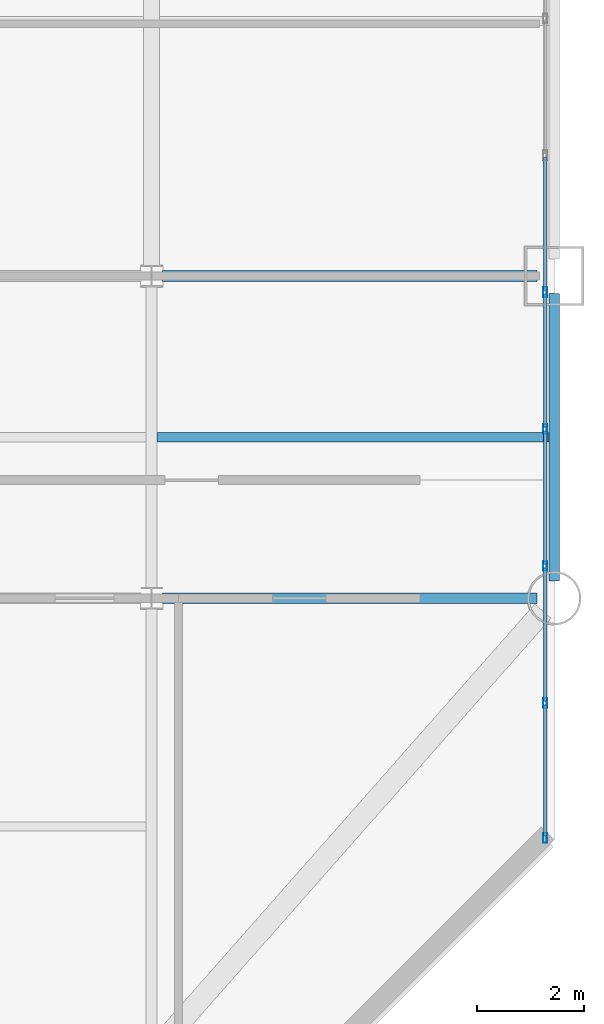
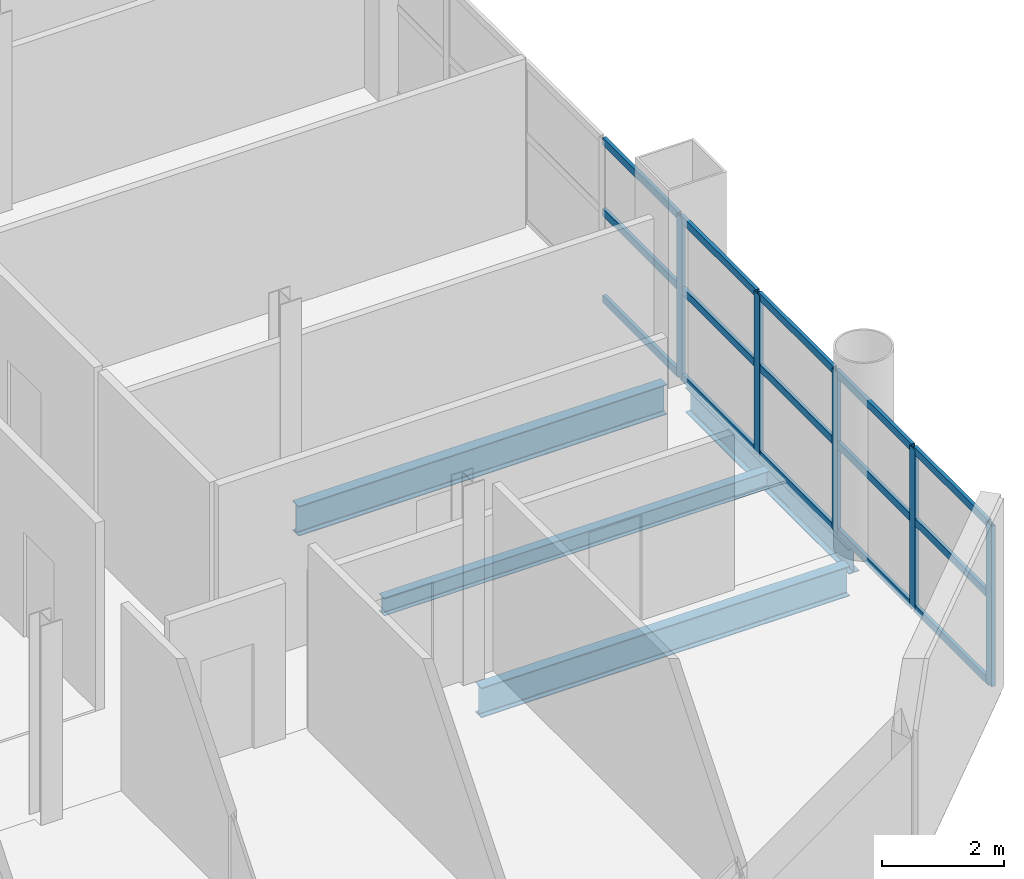
# One storey, part 5 of 16: 20 members, 4 beams, 1 element without a shape of its own.
"""IFC4 building model written with IfcOpenShell, lengths in metres."""

from ifc_helpers import new_model, si_unit, direction, frame, origin, origin_2d, place, context, subcontext, project, spatial, hollow_rectangle, i_section, extrude, material, layer, layer_set, material_profile, profile_set, type_object, element, aggregate, save


model = new_model("IFC4")

# Units and contexts
model_context = context("Model", 3, precision=1e-05, world=origin(), true_north=direction((0.0, 1.0)))
body_context = subcontext(model_context, "Body", "Model", "MODEL_VIEW")
ifc_project = project(units=[si_unit("LENGTHUNIT", "METRE"), si_unit("AREAUNIT", "SQUARE_METRE"), si_unit("VOLUMEUNIT", "CUBIC_METRE"), si_unit("PLANEANGLEUNIT", "RADIAN"), si_unit("MASSUNIT", "GRAM", prefix="KILO")], contexts=[model_context])

# Site, building, storey
site_placement = place(None, origin())
site = spatial("IfcSite", under=ifc_project, at=site_placement, CompositionType="ELEMENT")
building_placement = place(site_placement, origin())
building = spatial("IfcBuilding", under=site, at=building_placement, Name="Qianrong Seaharbour Tower", CompositionType="ELEMENT")
storey_placement = place(building_placement, frame((0.0, 0.0, 119.0)))
storey = spatial("IfcBuildingStorey", under=building, at=storey_placement, Name="L28", CompositionType="ELEMENT", Elevation=119.0)

# Beams
ifc_material_1 = material(Name="Structural steel SN490B", Category="steel")
ifc_material_profile_1 = material_profile(ifc_material_1, i_section(OverallWidth=0.199951171875, OverallDepth=0.60009765625, WebThickness=0.010986328125, FlangeThickness=0.01708984375, FilletRadius=0.02197265625, at=origin_2d()), Name="H600x200x11x17")
ifc_profile_set_1 = profile_set([ifc_material_profile_1], Name="Structural steel SN490B")
beam_type_1 = type_object("IfcBeamType", Name="BM-G-600", PredefinedType="BEAM", material=ifc_profile_set_1)
for number, where, z_axis, x_axis, name in (
    (1, (56.699951171875, 12.5, -0.534912109375), (1.0, 0.0, 0.0), (0.0, 1.0, 0.0), "L28 Primary Girder GC G8-G9"),
    (2, (56.699951171875, 18.5, -0.534912109375), (1.0, 0.0, 0.0), (0.0, 1.0, 0.0), "L28 Primary Girder GD G8-G9"),
):
    element("IfcBeam", number, at=place(storey_placement, frame(where, z_axis=z_axis, x_axis=x_axis)), inside=storey, type_object=beam_type_1, Name=name, PredefinedType="BEAM", context=body_context, shape_type="SweptSolid", body=[
        extrude(i_section(OverallWidth=0.199951171875, OverallDepth=0.60009765625, WebThickness=0.010986328125, FlangeThickness=0.01708984375, FilletRadius=0.02197265625, at=origin_2d()), origin(), (0.0, 0.0, 1.0), 6.97998046875),
    ])
ifc_material_2 = material(Name="Structural steel SN400B", Category="steel")
ifc_material_profile_2 = material_profile(ifc_material_2, i_section(OverallWidth=0.175048828125, OverallDepth=0.35009765625, WebThickness=0.007080078125, FlangeThickness=0.010986328125, FilletRadius=0.013916015625, at=origin_2d()), Name="H350x175x7x11")
ifc_profile_set_2 = profile_set([ifc_material_profile_2], Name="Structural steel SN400B")
beam_type_2 = type_object("IfcBeamType", Name="BM-J-350", PredefinedType="JOIST", material=ifc_profile_set_2)
beam_1_placement = place(storey_placement, frame((56.60009765625, 15.5, -0.409912109375), z_axis=(1.0, 0.0, 0.0), x_axis=(0.0, 1.0, 0.0)))
element("IfcBeam", 3, at=beam_1_placement, inside=storey, type_object=beam_type_2, Name="L28 Composite Floor Joist G8-G9/GC-GD", PredefinedType="JOIST", context=body_context, shape_type="SweptSolid", body=[
    extrude(i_section(OverallWidth=0.175048828125, OverallDepth=0.35009765625, WebThickness=0.007080078125, FlangeThickness=0.010986328125, FilletRadius=0.013916015625, at=origin_2d()), origin(), (0.0, 0.0, 1.0), 7.2998046875),
])
ifc_material_profile_3 = material_profile(ifc_material_1, i_section(OverallWidth=0.199951171875, OverallDepth=0.5, WebThickness=0.010009765625, FlangeThickness=0.01611328125, FilletRadius=0.02001953125, at=origin_2d()), Name="H500x200x10x16")
ifc_profile_set_3 = profile_set([ifc_material_profile_3], Name="Structural steel SN490B")
beam_type_3 = type_object("IfcBeamType", Name="BM-SP-500", PredefinedType="SPANDREL", material=ifc_profile_set_3)
beam_2_placement = place(storey_placement, frame((64.0, 12.820068359375, -0.485107421875), z_axis=(0.0, 1.0, 0.0), x_axis=(-1.0, 0.0, 0.0)))
element("IfcBeam", 4, at=beam_2_placement, inside=storey, type_object=beam_type_3, Name="L28 Spandrel Girder G9 GC-GD", PredefinedType="SPANDREL", context=body_context, shape_type="SweptSolid", body=[
    extrude(i_section(OverallWidth=0.199951171875, OverallDepth=0.5, WebThickness=0.010009765625, FlangeThickness=0.01611328125, FilletRadius=0.02001953125, at=origin_2d()), origin(), (0.0, 0.0, 1.0), 5.35986328125),
])

# Curtain wall, members
ifc_material_3 = material(Name="Anodised aluminium 6063-T6 and laminated low-e glass", Category="aluminium")
ifc_layer = layer(ifc_material_3, 0.195068359375)
ifc_layer_set = layer_set([ifc_layer], Name="Anodised aluminium 6063-T6 and laminated low-e glass")
curtain_wall_type = type_object("IfcCurtainWallType", Name="CW-SYS-3", PredefinedType="NOTDEFINED", material=ifc_layer_set)
curtain_wall_placement = place(storey_placement, origin())
curtain_wall = element("IfcCurtainWall", 5, at=curtain_wall_placement, inside=storey, type_object=curtain_wall_type, Name="L28 Sky-Garden Wintergarden Curtain Wall EAST_WING", PredefinedType="NOTDEFINED")
ifc_material_4 = material(Name="Extruded aluminium 6063-T6", Category="aluminium")
ifc_material_profile_4 = material_profile(ifc_material_4, hollow_rectangle(XDim=0.070068359375, YDim=0.179931640625, WallThickness=0.00390625, at=origin_2d()), Name="ALU-MUL-180x70x4")
ifc_profile_set_4 = profile_set([ifc_material_profile_4], Name="Extruded aluminium 6063-T6")
member_type_1 = type_object("IfcMemberType", Name="CW-MUL-180", PredefinedType="MULLION", material=ifc_profile_set_4)
member_1_placement = place(storey_placement, frame((63.830078125, 18.199951171875, 0.0), z_axis=(0.0, 0.0, 1.0), x_axis=(1.0, 0.0, 0.0)))
member_1 = element("IfcMember", 6, at=member_1_placement, type_object=member_type_1, Name="CW-3 mullion 8", PredefinedType="MULLION", context=body_context, shape_type="SweptSolid", body=[
    extrude(hollow_rectangle(XDim=0.070068359375, YDim=0.179931640625, WallThickness=0.00390625, at=origin_2d()), origin(), (0.0, 0.0, 1.0), 3.22509765625),
])
member_2_placement = place(storey_placement, frame((63.830078125, 15.64990234375, 0.0), z_axis=(0.0, 0.0, 1.0), x_axis=(1.0, 0.0, 0.0)))
member_2 = element("IfcMember", 7, at=member_2_placement, type_object=member_type_1, Name="CW-3 mullion 9", PredefinedType="MULLION", context=body_context, shape_type="SweptSolid", body=[
    extrude(hollow_rectangle(XDim=0.070068359375, YDim=0.179931640625, WallThickness=0.00390625, at=origin_2d()), origin(), (0.0, 0.0, 1.0), 3.22509765625),
])
member_3_placement = place(storey_placement, frame((63.830078125, 13.10009765625, 0.0), z_axis=(0.0, 0.0, 1.0), x_axis=(1.0, 0.0, 0.0)))
member_3 = element("IfcMember", 8, at=member_3_placement, type_object=member_type_1, Name="CW-3 mullion 10", PredefinedType="MULLION", context=body_context, shape_type="SweptSolid", body=[
    extrude(hollow_rectangle(XDim=0.070068359375, YDim=0.179931640625, WallThickness=0.00390625, at=origin_2d()), origin(), (0.0, 0.0, 1.0), 3.22509765625),
])
member_4_placement = place(storey_placement, frame((63.830078125, 10.550048828125, 0.0), z_axis=(0.0, 0.0, 1.0), x_axis=(1.0, 0.0, 0.0)))
member_4 = element("IfcMember", 9, at=member_4_placement, type_object=member_type_1, Name="CW-3 mullion 11", PredefinedType="MULLION", context=body_context, shape_type="SweptSolid", body=[
    extrude(hollow_rectangle(XDim=0.070068359375, YDim=0.179931640625, WallThickness=0.00390625, at=origin_2d()), origin(), (0.0, 0.0, 1.0), 3.22509765625),
])
member_5_placement = place(storey_placement, frame((63.830078125, 8.034912109375, 0.0), z_axis=(0.0, 0.0, 1.0), x_axis=(1.0, 0.0, 0.0)))
member_5 = element("IfcMember", 10, at=member_5_placement, type_object=member_type_1, Name="CW-3 mullion 12", PredefinedType="MULLION", context=body_context, shape_type="SweptSolid", body=[
    extrude(hollow_rectangle(XDim=0.070068359375, YDim=0.179931640625, WallThickness=0.00390625, at=origin_2d()), origin(), (0.0, 0.0, 1.0), 3.22509765625),
])
ifc_material_profile_5 = material_profile(ifc_material_4, hollow_rectangle(XDim=0.06494140625, YDim=0.14990234375, WallThickness=0.00390625, at=origin_2d()), Name="ALU-TRN-150x65x4")
ifc_profile_set_5 = profile_set([ifc_material_profile_5], Name="Extruded aluminium 6063-T6")
member_type_2 = type_object("IfcMemberType", Name="CW-TRN-150", PredefinedType="USERDEFINED", material=ifc_profile_set_5)
member_6_placement = place(storey_placement, frame((63.830078125, 20.715087890625, 0.032470703125), z_axis=(0.0, -1.0, 0.0), x_axis=(1.0, 0.0, 0.0)))
member_6 = element("IfcMember", 11, at=member_6_placement, type_object=member_type_2, Name="CW-3 transom 7.1", ObjectType="TRANSOM", PredefinedType="USERDEFINED", context=body_context, shape_type="SweptSolid", body=[
    extrude(hollow_rectangle(XDim=0.06494140625, YDim=0.14990234375, WallThickness=0.00390625, at=origin_2d()), origin(), (0.0, 0.0, 1.0), 2.47998046875),
])
member_7_placement = place(storey_placement, frame((63.830078125, 20.715087890625, 1.773681640625), z_axis=(0.0, -1.0, 0.0), x_axis=(1.0, 0.0, 0.0)))
member_7 = element("IfcMember", 12, at=member_7_placement, type_object=member_type_2, Name="CW-3 transom 7.2", ObjectType="TRANSOM", PredefinedType="USERDEFINED", context=body_context, shape_type="SweptSolid", body=[
    extrude(hollow_rectangle(XDim=0.06494140625, YDim=0.14990234375, WallThickness=0.00390625, at=origin_2d()), origin(), (0.0, 0.0, 1.0), 2.47998046875),
])
member_8_placement = place(storey_placement, frame((63.830078125, 20.715087890625, 3.1923828125), z_axis=(0.0, -1.0, 0.0), x_axis=(1.0, 0.0, 0.0)))
member_8 = element("IfcMember", 13, at=member_8_placement, type_object=member_type_2, Name="CW-3 transom 7.3", ObjectType="TRANSOM", PredefinedType="USERDEFINED", context=body_context, shape_type="SweptSolid", body=[
    extrude(hollow_rectangle(XDim=0.06494140625, YDim=0.14990234375, WallThickness=0.00390625, at=origin_2d()), origin(), (0.0, 0.0, 1.0), 2.47998046875),
])
member_9_placement = place(storey_placement, frame((63.830078125, 18.1650390625, 0.032470703125), z_axis=(0.0, -1.0, 0.0), x_axis=(1.0, 0.0, 0.0)))
member_9 = element("IfcMember", 14, at=member_9_placement, type_object=member_type_2, Name="CW-3 transom 8.1", ObjectType="TRANSOM", PredefinedType="USERDEFINED", context=body_context, shape_type="SweptSolid", body=[
    extrude(hollow_rectangle(XDim=0.06494140625, YDim=0.14990234375, WallThickness=0.00390625, at=origin_2d()), origin(), (0.0, 0.0, 1.0), 2.47998046875),
])
member_10_placement = place(storey_placement, frame((63.830078125, 18.1650390625, 1.773681640625), z_axis=(0.0, -1.0, 0.0), x_axis=(1.0, 0.0, 0.0)))
member_10 = element("IfcMember", 15, at=member_10_placement, type_object=member_type_2, Name="CW-3 transom 8.2", ObjectType="TRANSOM", PredefinedType="USERDEFINED", context=body_context, shape_type="SweptSolid", body=[
    extrude(hollow_rectangle(XDim=0.06494140625, YDim=0.14990234375, WallThickness=0.00390625, at=origin_2d()), origin(), (0.0, 0.0, 1.0), 2.47998046875),
])
member_11_placement = place(storey_placement, frame((63.830078125, 18.1650390625, 3.1923828125), z_axis=(0.0, -1.0, 0.0), x_axis=(1.0, 0.0, 0.0)))
member_11 = element("IfcMember", 16, at=member_11_placement, type_object=member_type_2, Name="CW-3 transom 8.3", ObjectType="TRANSOM", PredefinedType="USERDEFINED", context=body_context, shape_type="SweptSolid", body=[
    extrude(hollow_rectangle(XDim=0.06494140625, YDim=0.14990234375, WallThickness=0.00390625, at=origin_2d()), origin(), (0.0, 0.0, 1.0), 2.47998046875),
])
member_12_placement = place(storey_placement, frame((63.830078125, 15.614990234375, 0.032470703125), z_axis=(0.0, -1.0, 0.0), x_axis=(1.0, 0.0, 0.0)))
member_12 = element("IfcMember", 17, at=member_12_placement, type_object=member_type_2, Name="CW-3 transom 9.1", ObjectType="TRANSOM", PredefinedType="USERDEFINED", context=body_context, shape_type="SweptSolid", body=[
    extrude(hollow_rectangle(XDim=0.06494140625, YDim=0.14990234375, WallThickness=0.00390625, at=origin_2d()), origin(), (0.0, 0.0, 1.0), 2.47998046875),
])
member_13_placement = place(storey_placement, frame((63.830078125, 15.614990234375, 1.773681640625), z_axis=(0.0, -1.0, 0.0), x_axis=(1.0, 0.0, 0.0)))
member_13 = element("IfcMember", 18, at=member_13_placement, type_object=member_type_2, Name="CW-3 transom 9.2", ObjectType="TRANSOM", PredefinedType="USERDEFINED", context=body_context, shape_type="SweptSolid", body=[
    extrude(hollow_rectangle(XDim=0.06494140625, YDim=0.14990234375, WallThickness=0.00390625, at=origin_2d()), origin(), (0.0, 0.0, 1.0), 2.47998046875),
])
member_14_placement = place(storey_placement, frame((63.830078125, 15.614990234375, 3.1923828125), z_axis=(0.0, -1.0, 0.0), x_axis=(1.0, 0.0, 0.0)))
member_14 = element("IfcMember", 19, at=member_14_placement, type_object=member_type_2, Name="CW-3 transom 9.3", ObjectType="TRANSOM", PredefinedType="USERDEFINED", context=body_context, shape_type="SweptSolid", body=[
    extrude(hollow_rectangle(XDim=0.06494140625, YDim=0.14990234375, WallThickness=0.00390625, at=origin_2d()), origin(), (0.0, 0.0, 1.0), 2.47998046875),
])
member_15_placement = place(storey_placement, frame((63.830078125, 13.06494140625, 0.032470703125), z_axis=(0.0, -1.0, 0.0), x_axis=(1.0, 0.0, 0.0)))
member_15 = element("IfcMember", 20, at=member_15_placement, type_object=member_type_2, Name="CW-3 transom 10.1", ObjectType="TRANSOM", PredefinedType="USERDEFINED", context=body_context, shape_type="SweptSolid", body=[
    extrude(hollow_rectangle(XDim=0.06494140625, YDim=0.14990234375, WallThickness=0.00390625, at=origin_2d()), origin(), (0.0, 0.0, 1.0), 2.47998046875),
])
member_16_placement = place(storey_placement, frame((63.830078125, 13.06494140625, 1.773681640625), z_axis=(0.0, -1.0, 0.0), x_axis=(1.0, 0.0, 0.0)))
member_16 = element("IfcMember", 21, at=member_16_placement, type_object=member_type_2, Name="CW-3 transom 10.2", ObjectType="TRANSOM", PredefinedType="USERDEFINED", context=body_context, shape_type="SweptSolid", body=[
    extrude(hollow_rectangle(XDim=0.06494140625, YDim=0.14990234375, WallThickness=0.00390625, at=origin_2d()), origin(), (0.0, 0.0, 1.0), 2.47998046875),
])
member_17_placement = place(storey_placement, frame((63.830078125, 13.06494140625, 3.1923828125), z_axis=(0.0, -1.0, 0.0), x_axis=(1.0, 0.0, 0.0)))
member_17 = element("IfcMember", 22, at=member_17_placement, type_object=member_type_2, Name="CW-3 transom 10.3", ObjectType="TRANSOM", PredefinedType="USERDEFINED", context=body_context, shape_type="SweptSolid", body=[
    extrude(hollow_rectangle(XDim=0.06494140625, YDim=0.14990234375, WallThickness=0.00390625, at=origin_2d()), origin(), (0.0, 0.0, 1.0), 2.47998046875),
])
member_18_placement = place(storey_placement, frame((63.830078125, 10.514892578125, 0.032470703125), z_axis=(0.0, -1.0, 0.0), x_axis=(1.0, 0.0, 0.0)))
member_18 = element("IfcMember", 23, at=member_18_placement, type_object=member_type_2, Name="CW-3 transom 11.1", ObjectType="TRANSOM", PredefinedType="USERDEFINED", context=body_context, shape_type="SweptSolid", body=[
    extrude(hollow_rectangle(XDim=0.06494140625, YDim=0.14990234375, WallThickness=0.00390625, at=origin_2d()), origin(), (0.0, 0.0, 1.0), 2.44482421875),
])
member_19_placement = place(storey_placement, frame((63.830078125, 10.514892578125, 1.773681640625), z_axis=(0.0, -1.0, 0.0), x_axis=(1.0, 0.0, 0.0)))
member_19 = element("IfcMember", 24, at=member_19_placement, type_object=member_type_2, Name="CW-3 transom 11.2", ObjectType="TRANSOM", PredefinedType="USERDEFINED", context=body_context, shape_type="SweptSolid", body=[
    extrude(hollow_rectangle(XDim=0.06494140625, YDim=0.14990234375, WallThickness=0.00390625, at=origin_2d()), origin(), (0.0, 0.0, 1.0), 2.44482421875),
])
member_20_placement = place(storey_placement, frame((63.830078125, 10.514892578125, 3.1923828125), z_axis=(0.0, -1.0, 0.0), x_axis=(1.0, 0.0, 0.0)))
member_20 = element("IfcMember", 25, at=member_20_placement, type_object=member_type_2, Name="CW-3 transom 11.3", ObjectType="TRANSOM", PredefinedType="USERDEFINED", context=body_context, shape_type="SweptSolid", body=[
    extrude(hollow_rectangle(XDim=0.06494140625, YDim=0.14990234375, WallThickness=0.00390625, at=origin_2d()), origin(), (0.0, 0.0, 1.0), 2.44482421875),
])
aggregate(curtain_wall, [member_1, member_2, member_3, member_4, member_5, member_6, member_7, member_8, member_9, member_10, member_11, member_12, member_13, member_14, member_15, member_16, member_17, member_18, member_19, member_20])

save(model, "model.ifc")
